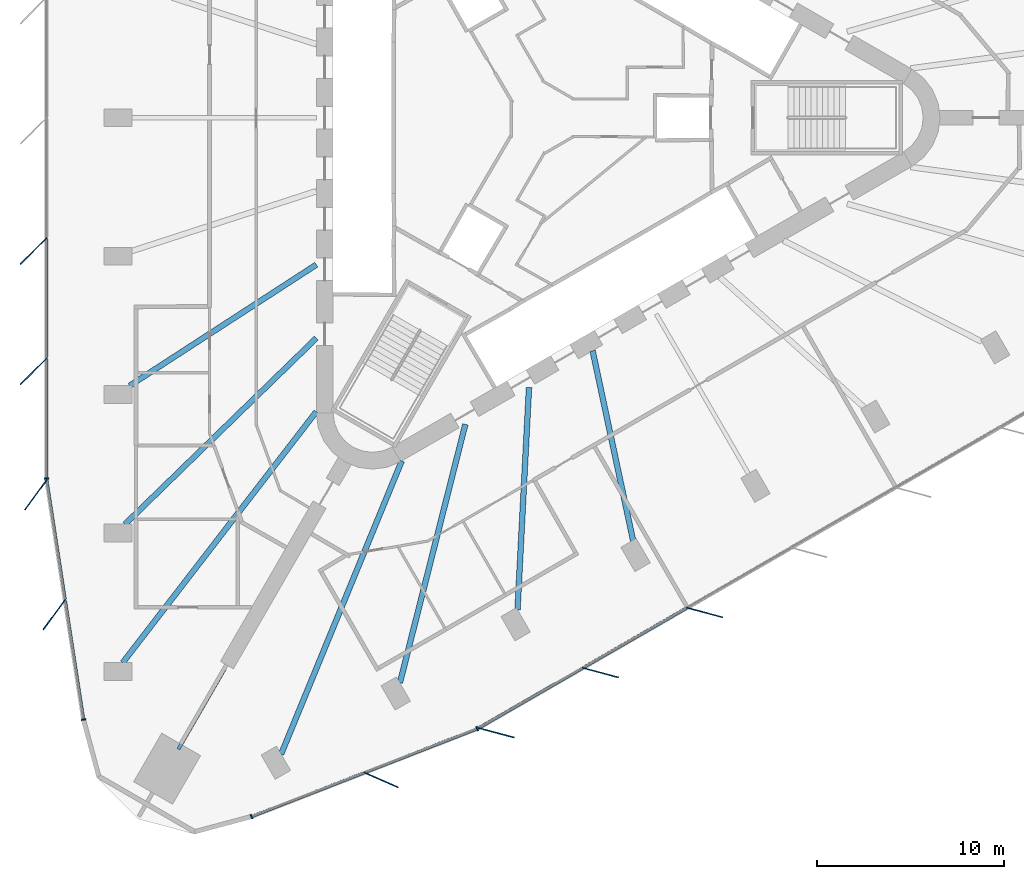
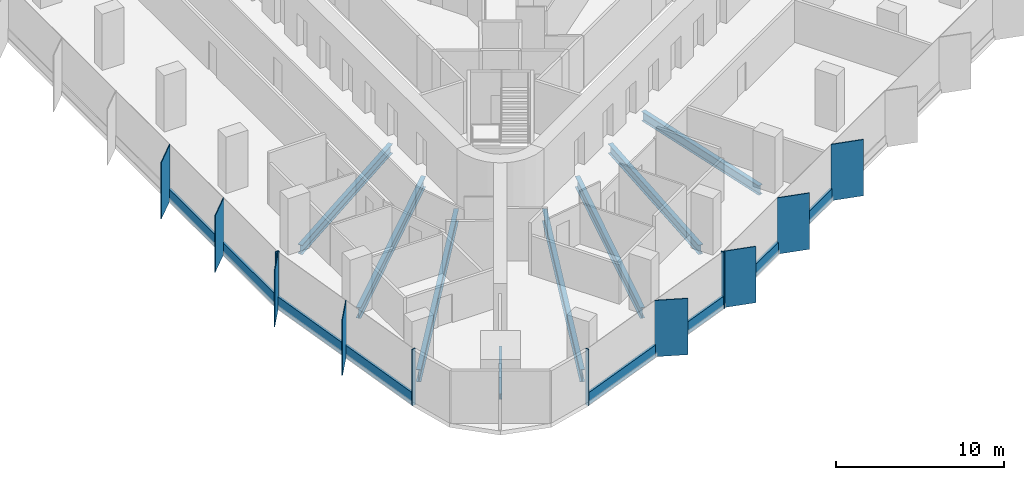
# One storey, part 2 of 15: 20 members, 8 beams, 4 elements without a shape of their own.
"""IFC4 building model written with IfcOpenShell, lengths in metres."""

from ifc_helpers import new_model, si_unit, direction, frame, origin, origin_2d, place, context, subcontext, project, spatial, rectangle, i_section, extrude, material, material_profile, profile_set, type_object, element, aggregate, save


model = new_model("IFC4")

# Units and contexts
model_context = context("Model", 3, precision=1e-05, world=origin(), true_north=direction((0.0, 1.0)))
body_context = subcontext(model_context, "Body", "Model", "MODEL_VIEW")
ifc_project = project(units=[si_unit("LENGTHUNIT", "METRE"), si_unit("AREAUNIT", "SQUARE_METRE"), si_unit("VOLUMEUNIT", "CUBIC_METRE"), si_unit("PLANEANGLEUNIT", "RADIAN"), si_unit("MASSUNIT", "GRAM", prefix="KILO")], contexts=[model_context])

# Site, building, storey
site_placement = place(None, origin())
site = spatial("IfcSite", under=ifc_project, at=site_placement, CompositionType="ELEMENT")
building_placement = place(site_placement, origin())
building = spatial("IfcBuilding", under=site, at=building_placement, Name="Tanit Gate Tower", CompositionType="ELEMENT")
storey_placement = place(building_placement, frame((0.0, 0.0, 131.60009765625)))
storey = spatial("IfcBuildingStorey", under=building, at=storey_placement, Name="L28", CompositionType="ELEMENT", Elevation=131.60009765625)

# Curtain wall, members
ifc_material_1 = material(Name="Aluminium bronze anodised and glass", Category="aluminium")
curtain_wall_type = type_object("IfcCurtainWallType", Name="Curtain wall typical low", PredefinedType="NOTDEFINED", material=ifc_material_1)
curtain_wall_1_placement = place(storey_placement, origin())
curtain_wall_1 = element("IfcCurtainWall", 1, at=curtain_wall_1_placement, inside=storey, type_object=curtain_wall_type, Name="Curtain wall L28 W2", PredefinedType="NOTDEFINED")
ifc_material_2 = material(Name="Aluminium bronze anodised", Category="aluminium")
ifc_material_profile_1 = material_profile(ifc_material_2, rectangle(XDim=2.0, YDim=0.055908203125, at=origin_2d()), Name="56x2000 bronze fin mullion")
ifc_profile_set_1 = profile_set([ifc_material_profile_1], Name="Aluminium bronze anodised")
member_type_1 = type_object("IfcMemberType", Name="FIN MULLION 56x2000 bronze", PredefinedType="MULLION", material=ifc_profile_set_1)
member_1_placement = place(storey_placement, frame((-27.19189453125, -7.11328125, -0.300048828125), z_axis=(0.0, 0.0, 1.0), x_axis=(0.707155809403, 0.707057749571, 0.0)))
member_1 = element("IfcMember", 2, at=member_1_placement, type_object=member_type_1, Name="Fin mullion L28 W2.5", PredefinedType="MULLION", context=body_context, shape_type="SweptSolid", body=[
    extrude(rectangle(XDim=2.0, YDim=0.055908203125, at=origin_2d()), origin(), (0.0, 0.0, 1.0), 4.099853515625),
])
member_2_placement = place(storey_placement, frame((-27.1923828125, -13.535400390625, -0.300048828125), z_axis=(0.0, 0.0, 1.0), x_axis=(0.707155809403, 0.707057749571, 0.0)))
member_2 = element("IfcMember", 3, at=member_2_placement, type_object=member_type_1, Name="Fin mullion L28 W2.6", PredefinedType="MULLION", context=body_context, shape_type="SweptSolid", body=[
    extrude(rectangle(XDim=2.0, YDim=0.055908203125, at=origin_2d()), origin(), (0.0, 0.0, 1.0), 4.099853515625),
])

curtain_wall_2_placement = place(storey_placement, origin())
curtain_wall_2 = element("IfcCurtainWall", 4, at=curtain_wall_2_placement, inside=storey, type_object=curtain_wall_type, Name="Curtain wall L28 W3", PredefinedType="NOTDEFINED")
member_3_placement = place(storey_placement, frame((-27.07373046875, -20.134033203125, -0.300048828125), z_axis=(0.0, 0.0, 1.0), x_axis=(0.591404079299, 0.806375356139, 0.0)))
member_3 = element("IfcMember", 5, at=member_3_placement, type_object=member_type_1, Name="Fin mullion L28 W3.1", PredefinedType="MULLION", context=body_context, shape_type="SweptSolid", body=[
    extrude(rectangle(XDim=2.0, YDim=0.055908203125, at=origin_2d()), origin(), (0.0, 0.0, 1.0), 4.099853515625),
])
member_4_placement = place(storey_placement, frame((-26.0908203125, -26.525390625, -0.300048828125), z_axis=(0.0, 0.0, 1.0), x_axis=(0.591404079299, 0.806375356139, 0.0)))
member_4 = element("IfcMember", 6, at=member_4_placement, type_object=member_type_1, Name="Fin mullion L28 W3.2", PredefinedType="MULLION", context=body_context, shape_type="SweptSolid", body=[
    extrude(rectangle(XDim=2.0, YDim=0.055908203125, at=origin_2d()), origin(), (0.0, 0.0, 1.0), 4.099853515625),
])

# Curtain wall, member
curtain_wall_3_placement = place(storey_placement, origin())
curtain_wall_3 = element("IfcCurtainWall", 7, at=curtain_wall_3_placement, inside=storey, type_object=curtain_wall_type, Name="Curtain wall L28 SE1", PredefinedType="NOTDEFINED")
member_5_placement = place(storey_placement, frame((-8.638671875, -35.35546875, -0.300048828125), z_axis=(0.0, 0.0, 1.0), x_axis=(-0.915440438595, 0.402453479778, 0.0)))
member_5 = element("IfcMember", 8, at=member_5_placement, type_object=member_type_1, Name="Fin mullion L28 SE1.2", PredefinedType="MULLION", context=body_context, shape_type="SweptSolid", body=[
    extrude(rectangle(XDim=2.0, YDim=0.055908203125, at=origin_2d()), origin(), (0.0, 0.0, 1.0), 4.099853515625),
])

# Curtain wall, members
curtain_wall_4_placement = place(storey_placement, origin())
curtain_wall_4 = element("IfcCurtainWall", 9, at=curtain_wall_4_placement, inside=storey, type_object=curtain_wall_type, Name="Curtain wall L28 SE2", PredefinedType="NOTDEFINED")
member_6_placement = place(storey_placement, frame((-2.49169921875, -32.835205078125, -0.300048828125), z_axis=(0.0, 0.0, 1.0), x_axis=(-0.965907877772, 0.258886020591, 0.0)))
member_6 = element("IfcMember", 10, at=member_6_placement, type_object=member_type_1, Name="Fin mullion L28 SE2.1", PredefinedType="MULLION", context=body_context, shape_type="SweptSolid", body=[
    extrude(rectangle(XDim=2.0, YDim=0.055908203125, at=origin_2d()), origin(), (0.0, 0.0, 1.0), 4.099853515625),
])
member_7_placement = place(storey_placement, frame((3.0703125, -29.62451171875, -0.300048828125), z_axis=(0.0, 0.0, 1.0), x_axis=(-0.965907877772, 0.258886020591, 0.0)))
member_7 = element("IfcMember", 11, at=member_7_placement, type_object=member_type_1, Name="Fin mullion L28 SE2.2", PredefinedType="MULLION", context=body_context, shape_type="SweptSolid", body=[
    extrude(rectangle(XDim=2.0, YDim=0.055908203125, at=origin_2d()), origin(), (0.0, 0.0, 1.0), 4.099853515625),
])
member_8_placement = place(storey_placement, frame((8.63232421875, -26.413818359375, -0.300048828125), z_axis=(0.0, 0.0, 1.0), x_axis=(-0.965907877772, 0.258886020591, 0.0)))
member_8 = element("IfcMember", 12, at=member_8_placement, type_object=member_type_1, Name="Fin mullion L28 SE2.3", PredefinedType="MULLION", context=body_context, shape_type="SweptSolid", body=[
    extrude(rectangle(XDim=2.0, YDim=0.055908203125, at=origin_2d()), origin(), (0.0, 0.0, 1.0), 4.099853515625),
])

# Member
ifc_material_3 = material(Name="Aluminium bronze anodised", Category="aluminium")
ifc_material_profile_2 = material_profile(ifc_material_3, rectangle(XDim=0.239990234375, YDim=0.080078125, at=origin_2d()), Name="80x240 bronze mullion")
ifc_profile_set_2 = profile_set([ifc_material_profile_2], Name="Aluminium bronze anodised")
member_type_2 = type_object("IfcMemberType", Name="Mullion 80x240 typical low", PredefinedType="MULLION", material=ifc_profile_set_2)
member_9_placement = place(storey_placement, frame((-26.501708984375, -19.2666015625, -0.300048828125), z_axis=(0.0, 0.0, 1.0), x_axis=(0.999999997596, -6.9338772e-05, 0.0)))
member_9 = element("IfcMember", 13, at=member_9_placement, type_object=member_type_2, Name="Mullion L28 W2.7", PredefinedType="MULLION", context=body_context, shape_type="SweptSolid", body=[
    extrude(rectangle(XDim=0.239990234375, YDim=0.080078125, at=origin_2d()), origin(), (0.0, 0.0, 1.0), 4.099853515625),
])

member_10_placement = place(storey_placement, frame((-24.52978515625, -32.12841796875, -0.300048828125), z_axis=(0.0, 0.0, 1.0), x_axis=(0.988379317401, 0.152007647614, 0.0)))
member_10 = element("IfcMember", 14, at=member_10_placement, type_object=member_type_2, Name="Mullion L28 W3.3", PredefinedType="MULLION", context=body_context, shape_type="SweptSolid", body=[
    extrude(rectangle(XDim=0.239990234375, YDim=0.080078125, at=origin_2d()), origin(), (0.0, 0.0, 1.0), 4.099853515625),
])

member_11_placement = place(storey_placement, frame((-15.559326171875, -37.3076171875, -0.300048828125), z_axis=(0.0, 0.0, 1.0), x_axis=(-0.36273655724, 0.931891726566, 0.0)))
member_11 = element("IfcMember", 15, at=member_11_placement, type_object=member_type_2, Name="Mullion L28 SE1.1", PredefinedType="MULLION", context=body_context, shape_type="SweptSolid", body=[
    extrude(rectangle(XDim=0.239990234375, YDim=0.080078125, at=origin_2d()), origin(), (0.0, 0.0, 1.0), 4.099853515625),
])

member_12_placement = place(storey_placement, frame((-3.507568359375, -32.61669921875, -0.300048828125), z_axis=(0.0, 0.0, 1.0), x_axis=(-0.36273655724, 0.931891726566, 0.0)))
member_12 = element("IfcMember", 16, at=member_12_placement, type_object=member_type_2, Name="Mullion L28 SE1.3", PredefinedType="MULLION", context=body_context, shape_type="SweptSolid", body=[
    extrude(rectangle(XDim=0.239990234375, YDim=0.080078125, at=origin_2d()), origin(), (0.0, 0.0, 1.0), 4.099853515625),
])

# Beams
ifc_material_4 = material(Name="Steel S355", Category="steel")
ifc_material_profile_3 = material_profile(ifc_material_4, i_section(OverallWidth=0.300048828125, OverallDepth=0.68994140625, WebThickness=0.014404296875, FlangeThickness=0.027099609375, FilletRadius=0.027099609375, at=origin_2d()), Name="HEA 700")
ifc_profile_set_3 = profile_set([ifc_material_profile_3], Name="Steel S355")
beam_type_1 = type_object("IfcBeamType", Name="RADIAL GIRDER HEA 700 S355", PredefinedType="BEAM", material=ifc_profile_set_3)
for number, where, z_axis, x_axis, name in (
    (17, (-22.067626953125, -14.307861328125, -0.64501953125), (0.839066280254, 0.54402920633, 0.0), (-0.54402920633, 0.839066280254, 0.0), "RADIAL GIRDER"),
    (18, (-1.357177734375, -26.264892578125, -0.64501953125), (0.051595349466, 0.998668072942, 0.0), (-0.998668072942, 0.051595349466, 0.0), "RADIAL GIRDER"),
):
    element("IfcBeam", number, at=place(storey_placement, frame(where, z_axis=z_axis, x_axis=x_axis)), inside=storey, type_object=beam_type_1, Name=name, PredefinedType="BEAM", context=body_context, shape_type="SweptSolid", body=[
        extrude(i_section(OverallWidth=0.300048828125, OverallDepth=0.68994140625, WebThickness=0.014404296875, FlangeThickness=0.027099609375, FilletRadius=0.027099609375, at=origin_2d()), origin(), (0.0, 0.0, 1.0), 11.876953125),
    ])
beam_1_placement = place(storey_placement, frame((4.83447265625, -22.670166015625, -0.64501953125), z_axis=(-0.208567613374, 0.978007950199, 0.0), x_axis=(-0.978007950199, -0.208567613374, 0.0)))
element("IfcBeam", 19, at=beam_1_placement, inside=storey, type_object=beam_type_1, Name="RADIAL GIRDER", PredefinedType="BEAM", context=body_context, shape_type="SweptSolid", body=[
    extrude(i_section(OverallWidth=0.300048828125, OverallDepth=0.68994140625, WebThickness=0.014404296875, FlangeThickness=0.027099609375, FilletRadius=0.027099609375, at=origin_2d()), origin(), (0.0, 0.0, 1.0), 10.457763671875),
])
ifc_material_5 = material(Name="Steel S355", Category="steel")
ifc_material_profile_4 = material_profile(ifc_material_5, i_section(OverallWidth=0.300048828125, OverallDepth=0.7900390625, WebThickness=0.014892578125, FlangeThickness=0.028076171875, FilletRadius=0.030029296875, at=origin_2d()), Name="HEA 800")
ifc_profile_set_4 = profile_set([ifc_material_profile_4], Name="Steel S355")
beam_type_2 = type_object("IfcBeamType", Name="RADIAL GIRDER HEA 800 S355", PredefinedType="BEAM", material=ifc_profile_set_4)
for number, where, z_axis, x_axis, name in (
    (20, (-22.311767578125, -21.69921875, -0.695068359375), (0.716878053462, 0.697198577497, 0.0), (-0.697198577497, 0.716878053462, 0.0), "RADIAL GIRDER"),
    (21, (-7.63623046875, -30.172119140625, -0.695068359375), (0.245341928532, 0.969436608605, 0.0), (-0.969436608605, 0.245341928532, 0.0), "RADIAL GIRDER"),
):
    element("IfcBeam", number, at=place(storey_placement, frame(where, z_axis=z_axis, x_axis=x_axis)), inside=storey, type_object=beam_type_2, Name=name, PredefinedType="BEAM", context=body_context, shape_type="SweptSolid", body=[
        extrude(i_section(OverallWidth=0.300048828125, OverallDepth=0.7900390625, WebThickness=0.014892578125, FlangeThickness=0.028076171875, FilletRadius=0.030029296875, at=origin_2d()), origin(), (0.0, 0.0, 1.0), 14.241943359375),
    ])
ifc_material_6 = material(Name="Steel S355", Category="steel")
ifc_material_profile_5 = material_profile(ifc_material_6, i_section(OverallWidth=0.300048828125, OverallDepth=0.889892578125, WebThickness=0.01611328125, FlangeThickness=0.030029296875, FilletRadius=0.030029296875, at=origin_2d()), Name="HEA 900")
ifc_profile_set_5 = profile_set([ifc_material_profile_5], Name="Steel S355")
beam_type_3 = type_object("IfcBeamType", Name="RADIAL GIRDER HEA 900 S355", PredefinedType="BEAM", material=ifc_profile_set_5)
for number, where, z_axis, x_axis, name in (
    (22, (-22.433837890625, -29.0908203125, -0.7451171875), (0.610670590599, 0.791884732633, 0.0), (-0.791884732633, 0.610670590599, 0.0), "RADIAL GIRDER"),
    (23, (-13.976318359375, -33.9736328125, -0.7451171875), (0.380451490729, 0.924800877596, 0.0), (-0.924800877596, 0.380451490729, 0.0), "RADIAL GIRDER"),
):
    element("IfcBeam", number, at=place(storey_placement, frame(where, z_axis=z_axis, x_axis=x_axis)), inside=storey, type_object=beam_type_3, Name=name, PredefinedType="BEAM", context=body_context, shape_type="SweptSolid", body=[
        extrude(i_section(OverallWidth=0.300048828125, OverallDepth=0.889892578125, WebThickness=0.01611328125, FlangeThickness=0.030029296875, FilletRadius=0.030029296875, at=origin_2d()), origin(), (0.0, 0.0, 1.0), 16.918701171875),
    ])
ifc_material_7 = material(Name="Steel S355", Category="steel")
ifc_material_profile_6 = material_profile(ifc_material_7, i_section(OverallWidth=0.179931640625, OverallDepth=0.39990234375, WebThickness=0.008544921875, FlangeThickness=0.013427734375, FilletRadius=0.02099609375, at=origin_2d()), Name="IPE 400")
ifc_profile_set_6 = profile_set([ifc_material_profile_6], Name="Steel S355")
beam_type_4 = type_object("IfcBeamType", Name="RADIAL GIRDER IPE 400 S355", PredefinedType="BEAM", material=ifc_profile_set_6)
beam_2_placement = place(storey_placement, frame((-19.462646484375, -33.71044921875, -0.5), z_axis=(0.499969421594, 0.866043057515, 0.0), x_axis=(-0.866043057515, 0.499969421594, 0.0)))
element("IfcBeam", 24, at=beam_2_placement, inside=storey, type_object=beam_type_4, Name="RADIAL GIRDER", PredefinedType="BEAM", context=body_context, shape_type="SweptSolid", body=[
    extrude(i_section(OverallWidth=0.179931640625, OverallDepth=0.39990234375, WebThickness=0.008544921875, FlangeThickness=0.013427734375, FilletRadius=0.02099609375, at=origin_2d()), origin(), (0.0, 0.0, 1.0), 4.963134765625),
])

# Member
ifc_material_8 = material(Name="Aluminium bronze anodised", Category="aluminium")
ifc_material_profile_7 = material_profile(ifc_material_8, rectangle(XDim=0.159912109375, YDim=0.89990234375, at=origin_2d()), Name="160x900 bronze transom")
ifc_profile_set_7 = profile_set([ifc_material_profile_7], Name="Aluminium bronze anodised")
member_type_3 = type_object("IfcMemberType", Name="Transom 160x900 typical low", PredefinedType="USERDEFINED", material=ifc_profile_set_7)
member_13_placement = place(storey_placement, frame((-26.500732421875, -6.462158203125, 0.14990234375), z_axis=(-7.6991184e-05, -0.999999997036, 0.0), x_axis=(0.999999997036, -7.6991184e-05, 0.0)))
member_13 = element("IfcMember", 25, at=member_13_placement, type_object=member_type_3, Name="Transom L28 W2.5", ObjectType="TRANSOM", PredefinedType="USERDEFINED", context=body_context, shape_type="SweptSolid", body=[
    extrude(rectangle(XDim=0.159912109375, YDim=0.89990234375, at=origin_2d()), origin(), (0.0, 0.0, 1.0), 6.342041015625),
])

member_14_placement = place(storey_placement, frame((-26.501220703125, -12.88427734375, 0.14990234375), z_axis=(-7.6988221e-05, -0.999999997036, 0.0), x_axis=(0.999999997036, -7.6988221e-05, 0.0)))
member_14 = element("IfcMember", 26, at=member_14_placement, type_object=member_type_3, Name="Transom L28 W2.6", ObjectType="TRANSOM", PredefinedType="USERDEFINED", context=body_context, shape_type="SweptSolid", body=[
    extrude(rectangle(XDim=0.159912109375, YDim=0.89990234375, at=origin_2d()), origin(), (0.0, 0.0, 1.0), 6.34228515625),
])

aggregate(curtain_wall_1, [member_1, member_2, member_9, member_13, member_14])

member_15_placement = place(storey_placement, frame((-26.489501953125, -19.385498046875, 0.14990234375), z_axis=(0.151993986434, -0.988381418324, 0.0), x_axis=(0.988381418324, 0.151993986434, 0.0)))
member_15 = element("IfcMember", 27, at=member_15_placement, type_object=member_type_3, Name="Transom L28 W3.1", ObjectType="TRANSOM", PredefinedType="USERDEFINED", context=body_context, shape_type="SweptSolid", body=[
    extrude(rectangle(XDim=0.159912109375, YDim=0.89990234375, at=origin_2d()), origin(), (0.0, 0.0, 1.0), 6.386474609375),
])

member_16_placement = place(storey_placement, frame((-25.506591796875, -25.77685546875, 0.14990234375), z_axis=(0.151993986434, -0.988381418324, 0.0), x_axis=(0.988381418324, 0.151993986434, 0.0)))
member_16 = element("IfcMember", 28, at=member_16_placement, type_object=member_type_3, Name="Transom L28 W3.2", ObjectType="TRANSOM", PredefinedType="USERDEFINED", context=body_context, shape_type="SweptSolid", body=[
    extrude(rectangle(XDim=0.159912109375, YDim=0.89990234375, at=origin_2d()), origin(), (0.0, 0.0, 1.0), 6.386474609375),
])

aggregate(curtain_wall_2, [member_3, member_4, member_10, member_15, member_16])

member_17_placement = place(storey_placement, frame((-15.52197265625, -37.293212890625, 0.14990234375), z_axis=(0.931882653297, 0.362759866144, 0.0), x_axis=(-0.362759866144, 0.931882653297, 0.0)))
member_17 = element("IfcMember", 29, at=member_17_placement, type_object=member_type_3, Name="Transom L28 SE1.1", ObjectType="TRANSOM", PredefinedType="USERDEFINED", context=body_context, shape_type="SweptSolid", body=[
    extrude(rectangle(XDim=0.159912109375, YDim=0.89990234375, at=origin_2d()), origin(), (0.0, 0.0, 1.0), 6.38623046875),
])

member_18_placement = place(storey_placement, frame((-9.49609375, -34.947509765625, 0.14990234375), z_axis=(0.931895576358, 0.362726666741, 0.0), x_axis=(-0.362726666741, 0.931895576358, 0.0)))
member_18 = element("IfcMember", 30, at=member_18_placement, type_object=member_type_3, Name="Transom L28 SE1.2", ObjectType="TRANSOM", PredefinedType="USERDEFINED", context=body_context, shape_type="SweptSolid", body=[
    extrude(rectangle(XDim=0.159912109375, YDim=0.89990234375, at=origin_2d()), origin(), (0.0, 0.0, 1.0), 6.385986328125),
])

aggregate(curtain_wall_3, [member_11, member_5, member_12, member_17, member_18])

member_19_placement = place(storey_placement, frame((-3.401123046875, -32.56201171875, 0.14990234375), z_axis=(0.866062512225, 0.499935720787, 0.0), x_axis=(-0.499935720787, 0.866062512225, 0.0)))
member_19 = element("IfcMember", 31, at=member_19_placement, type_object=member_type_3, Name="Transom L28 SE2.1", ObjectType="TRANSOM", PredefinedType="USERDEFINED", context=body_context, shape_type="SweptSolid", body=[
    extrude(rectangle(XDim=0.159912109375, YDim=0.89990234375, at=origin_2d()), origin(), (0.0, 0.0, 1.0), 6.342041015625),
])

member_20_placement = place(storey_placement, frame((2.160888671875, -29.351318359375, 0.14990234375), z_axis=(0.866062512225, 0.499935720787, 0.0), x_axis=(-0.499935720787, 0.866062512225, 0.0)))
member_20 = element("IfcMember", 32, at=member_20_placement, type_object=member_type_3, Name="Transom L28 SE2.2", ObjectType="TRANSOM", PredefinedType="USERDEFINED", context=body_context, shape_type="SweptSolid", body=[
    extrude(rectangle(XDim=0.159912109375, YDim=0.89990234375, at=origin_2d()), origin(), (0.0, 0.0, 1.0), 6.342041015625),
])

aggregate(curtain_wall_4, [member_6, member_7, member_8, member_19, member_20])

save(model, "model.ifc")
